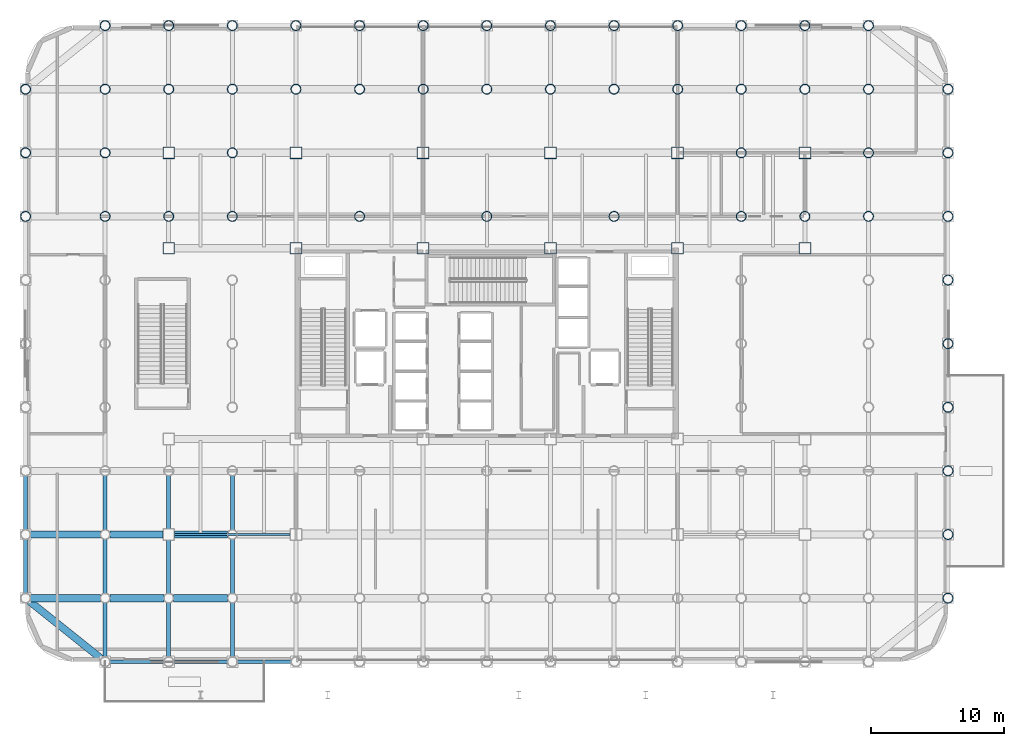
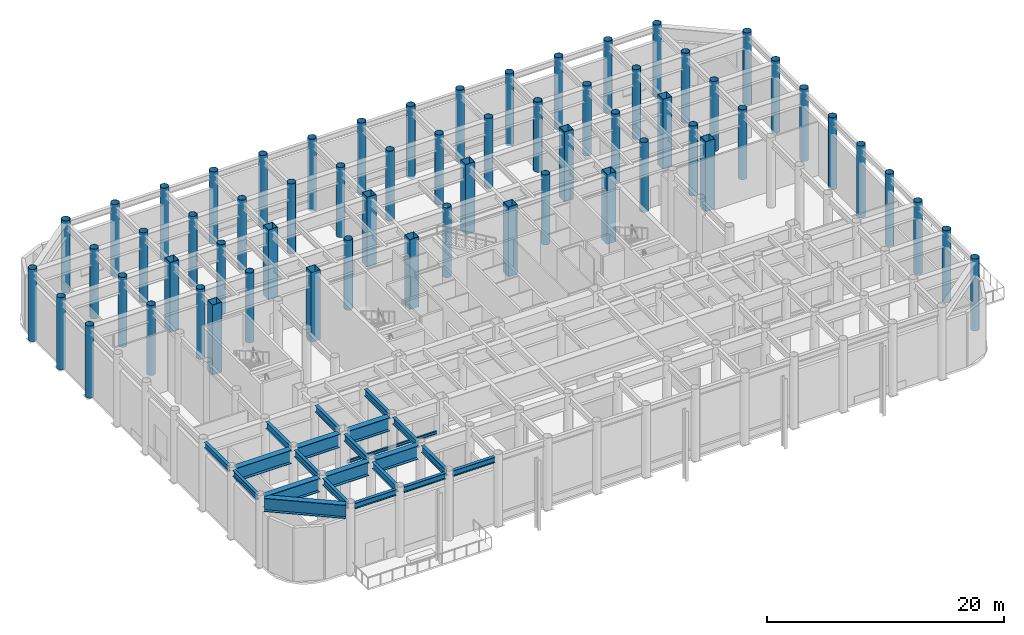
# One storey, part 3 of 23: 63 columns, 22 beams.
"""IFC4 building model written with IfcOpenShell, lengths in metres."""

from ifc_helpers import new_model, si_unit, direction, frame, origin, origin_2d, place, context, subcontext, project, spatial, hollow_rectangle, hollow_circle, i_section, extrude, material, material_profile, profile_set, type_object, element, save


model = new_model("IFC4")

# Units and contexts
model_context = context("Model", 3, precision=1e-05, world=origin(), true_north=direction((0.0, 1.0)))
body_context = subcontext(model_context, "Body", "Model", "MODEL_VIEW")
ifc_project = project(units=[si_unit("LENGTHUNIT", "METRE"), si_unit("AREAUNIT", "SQUARE_METRE"), si_unit("VOLUMEUNIT", "CUBIC_METRE"), si_unit("PLANEANGLEUNIT", "RADIAN"), si_unit("MASSUNIT", "GRAM", prefix="KILO")], contexts=[model_context])

# Site, building, storey
site_placement = place(None, origin())
site = spatial("IfcSite", under=ifc_project, at=site_placement, CompositionType="ELEMENT")
building_placement = place(site_placement, origin())
building = spatial("IfcBuilding", under=site, at=building_placement, Name="Kallvorn Hotel Tower", CompositionType="ELEMENT")
storey_placement = place(building_placement, frame((0.0, 0.0, 12.0)))
storey = spatial("IfcBuildingStorey", under=building, at=storey_placement, Name="L02", CompositionType="ELEMENT", Elevation=12.0)

# Columns
ifc_material_1 = material(Name="Structural steel S355J2H", Category="steel")
ifc_material_profile_1 = material_profile(ifc_material_1, hollow_circle(Radius=0.381103515625, WallThickness=0.031982421875, at=origin_2d()), Name="CHS 762x32")
ifc_profile_set_1 = profile_set([ifc_material_profile_1], Name="Structural steel S355J2H")
column_type_1 = type_object("IfcColumnType", Name="COL_CHS_762", PredefinedType="COLUMN", material=ifc_profile_set_1)
for number, where, z_axis, x_axis, name in (
    (1, (-34.800048828125, 9.60009765625, -0.219970703125), (0.0, 0.0, 1.0), (1.0, 0.0, 0.0), "L02 Exoskeleton Column EC07"),
    (2, (-34.800048828125, 14.39990234375, -0.219970703125), (0.0, 0.0, 1.0), (1.0, 0.0, 0.0), "L02 Exoskeleton Column EC08"),
    (3, (-34.800048828125, 19.199951171875, -0.219970703125), (0.0, 0.0, 1.0), (1.0, 0.0, 0.0), "L02 Exoskeleton Column EC09"),
):
    element("IfcColumn", number, at=place(storey_placement, frame(where, z_axis=z_axis, x_axis=x_axis)), inside=storey, type_object=column_type_1, Name=name, PredefinedType="COLUMN", context=body_context, shape_type="SweptSolid", body=[
        extrude(hollow_circle(Radius=0.381103515625, WallThickness=0.031982421875, at=origin_2d()), origin(), (0.0, 0.0, 1.0), 7.419921875),
    ])
for number, where, z_axis, x_axis, name in (
    (4, (-28.800048828125, 9.60009765625, 0.0), (0.0, 0.0, 1.0), (1.0, 0.0, 0.0), "L02 Exoskeleton Column EC17"),
    (5, (-28.800048828125, 14.39990234375, 0.0), (0.0, 0.0, 1.0), (1.0, 0.0, 0.0), "L02 Exoskeleton Column EC18"),
    (6, (-28.800048828125, 19.199951171875, 0.0), (0.0, 0.0, 1.0), (1.0, 0.0, 0.0), "L02 Exoskeleton Column EC19"),
):
    element("IfcColumn", number, at=place(storey_placement, frame(where, z_axis=z_axis, x_axis=x_axis)), inside=storey, type_object=column_type_1, Name=name, PredefinedType="COLUMN", context=body_context, shape_type="SweptSolid", body=[
        extrude(hollow_circle(Radius=0.381103515625, WallThickness=0.031982421875, at=origin_2d()), origin(), (0.0, 0.0, 1.0), 7.199951171875),
    ])
column_1_placement = place(storey_placement, frame((-28.800048828125, 24.0, -0.219970703125), z_axis=(0.0, 0.0, 1.0), x_axis=(1.0, 0.0, 0.0)))
element("IfcColumn", 7, at=column_1_placement, inside=storey, type_object=column_type_1, Name="L02 Exoskeleton Column EC20", PredefinedType="COLUMN", context=body_context, shape_type="SweptSolid", body=[
    extrude(hollow_circle(Radius=0.381103515625, WallThickness=0.031982421875, at=origin_2d()), origin(), (0.0, 0.0, 1.0), 7.419921875),
])
for number, where, z_axis, x_axis, name in (
    (8, (-24.0, 9.60009765625, 0.0), (0.0, 0.0, 1.0), (1.0, 0.0, 0.0), "L02 Exoskeleton Column EC24"),
    (9, (-24.0, 19.199951171875, 0.0), (0.0, 0.0, 1.0), (1.0, 0.0, 0.0), "L02 Exoskeleton Column EC25"),
):
    element("IfcColumn", number, at=place(storey_placement, frame(where, z_axis=z_axis, x_axis=x_axis)), inside=storey, type_object=column_type_1, Name=name, PredefinedType="COLUMN", context=body_context, shape_type="SweptSolid", body=[
        extrude(hollow_circle(Radius=0.381103515625, WallThickness=0.031982421875, at=origin_2d()), origin(), (0.0, 0.0, 1.0), 7.199951171875),
    ])
column_2_placement = place(storey_placement, frame((-24.0, 24.0, -0.219970703125), z_axis=(0.0, 0.0, 1.0), x_axis=(1.0, 0.0, 0.0)))
element("IfcColumn", 10, at=column_2_placement, inside=storey, type_object=column_type_1, Name="L02 Exoskeleton Column EC26", PredefinedType="COLUMN", context=body_context, shape_type="SweptSolid", body=[
    extrude(hollow_circle(Radius=0.381103515625, WallThickness=0.031982421875, at=origin_2d()), origin(), (0.0, 0.0, 1.0), 7.419921875),
])
for number, where, z_axis, x_axis, name in (
    (11, (-19.199951171875, 9.60009765625, 0.0), (0.0, 0.0, 1.0), (1.0, 0.0, 0.0), "L02 Exoskeleton Column EC34"),
    (12, (-19.199951171875, 14.39990234375, 0.0), (0.0, 0.0, 1.0), (1.0, 0.0, 0.0), "L02 Exoskeleton Column EC35"),
    (13, (-19.199951171875, 19.199951171875, 0.0), (0.0, 0.0, 1.0), (1.0, 0.0, 0.0), "L02 Exoskeleton Column EC36"),
):
    element("IfcColumn", number, at=place(storey_placement, frame(where, z_axis=z_axis, x_axis=x_axis)), inside=storey, type_object=column_type_1, Name=name, PredefinedType="COLUMN", context=body_context, shape_type="SweptSolid", body=[
        extrude(hollow_circle(Radius=0.381103515625, WallThickness=0.031982421875, at=origin_2d()), origin(), (0.0, 0.0, 1.0), 7.199951171875),
    ])
column_3_placement = place(storey_placement, frame((-19.199951171875, 24.0, -0.219970703125), z_axis=(0.0, 0.0, 1.0), x_axis=(1.0, 0.0, 0.0)))
element("IfcColumn", 14, at=column_3_placement, inside=storey, type_object=column_type_1, Name="L02 Exoskeleton Column EC37", PredefinedType="COLUMN", context=body_context, shape_type="SweptSolid", body=[
    extrude(hollow_circle(Radius=0.381103515625, WallThickness=0.031982421875, at=origin_2d()), origin(), (0.0, 0.0, 1.0), 7.419921875),
])
column_4_placement = place(storey_placement, frame((-14.39990234375, 19.199951171875, 0.0), z_axis=(0.0, 0.0, 1.0), x_axis=(1.0, 0.0, 0.0)))
element("IfcColumn", 15, at=column_4_placement, inside=storey, type_object=column_type_1, Name="L02 Exoskeleton Column EC40", PredefinedType="COLUMN", context=body_context, shape_type="SweptSolid", body=[
    extrude(hollow_circle(Radius=0.381103515625, WallThickness=0.031982421875, at=origin_2d()), origin(), (0.0, 0.0, 1.0), 7.199951171875),
])
column_5_placement = place(storey_placement, frame((-14.39990234375, 24.0, -0.219970703125), z_axis=(0.0, 0.0, 1.0), x_axis=(1.0, 0.0, 0.0)))
element("IfcColumn", 16, at=column_5_placement, inside=storey, type_object=column_type_1, Name="L02 Exoskeleton Column EC41", PredefinedType="COLUMN", context=body_context, shape_type="SweptSolid", body=[
    extrude(hollow_circle(Radius=0.381103515625, WallThickness=0.031982421875, at=origin_2d()), origin(), (0.0, 0.0, 1.0), 7.419921875),
])
for number, where, z_axis, x_axis, name in (
    (17, (-9.60009765625, 9.60009765625, 0.0), (0.0, 0.0, 1.0), (1.0, 0.0, 0.0), "L02 Exoskeleton Column EC45"),
    (18, (-9.60009765625, 19.199951171875, 0.0), (0.0, 0.0, 1.0), (1.0, 0.0, 0.0), "L02 Exoskeleton Column EC46"),
):
    element("IfcColumn", number, at=place(storey_placement, frame(where, z_axis=z_axis, x_axis=x_axis)), inside=storey, type_object=column_type_1, Name=name, PredefinedType="COLUMN", context=body_context, shape_type="SweptSolid", body=[
        extrude(hollow_circle(Radius=0.381103515625, WallThickness=0.031982421875, at=origin_2d()), origin(), (0.0, 0.0, 1.0), 7.199951171875),
    ])
column_6_placement = place(storey_placement, frame((-9.60009765625, 24.0, -0.219970703125), z_axis=(0.0, 0.0, 1.0), x_axis=(1.0, 0.0, 0.0)))
element("IfcColumn", 19, at=column_6_placement, inside=storey, type_object=column_type_1, Name="L02 Exoskeleton Column EC47", PredefinedType="COLUMN", context=body_context, shape_type="SweptSolid", body=[
    extrude(hollow_circle(Radius=0.381103515625, WallThickness=0.031982421875, at=origin_2d()), origin(), (0.0, 0.0, 1.0), 7.419921875),
])
column_7_placement = place(storey_placement, frame((-4.800048828125, 19.199951171875, 0.0), z_axis=(0.0, 0.0, 1.0), x_axis=(1.0, 0.0, 0.0)))
element("IfcColumn", 20, at=column_7_placement, inside=storey, type_object=column_type_1, Name="L02 Exoskeleton Column EC50", PredefinedType="COLUMN", context=body_context, shape_type="SweptSolid", body=[
    extrude(hollow_circle(Radius=0.381103515625, WallThickness=0.031982421875, at=origin_2d()), origin(), (0.0, 0.0, 1.0), 7.199951171875),
])
column_8_placement = place(storey_placement, frame((-4.800048828125, 24.0, -0.219970703125), z_axis=(0.0, 0.0, 1.0), x_axis=(1.0, 0.0, 0.0)))
element("IfcColumn", 21, at=column_8_placement, inside=storey, type_object=column_type_1, Name="L02 Exoskeleton Column EC51", PredefinedType="COLUMN", context=body_context, shape_type="SweptSolid", body=[
    extrude(hollow_circle(Radius=0.381103515625, WallThickness=0.031982421875, at=origin_2d()), origin(), (0.0, 0.0, 1.0), 7.419921875),
])
for number, where, z_axis, x_axis, name in (
    (22, (0.0, 9.60009765625, 0.0), (0.0, 0.0, 1.0), (1.0, 0.0, 0.0), "L02 Exoskeleton Column EC55"),
    (23, (0.0, 19.199951171875, 0.0), (0.0, 0.0, 1.0), (1.0, 0.0, 0.0), "L02 Exoskeleton Column EC56"),
):
    element("IfcColumn", number, at=place(storey_placement, frame(where, z_axis=z_axis, x_axis=x_axis)), inside=storey, type_object=column_type_1, Name=name, PredefinedType="COLUMN", context=body_context, shape_type="SweptSolid", body=[
        extrude(hollow_circle(Radius=0.381103515625, WallThickness=0.031982421875, at=origin_2d()), origin(), (0.0, 0.0, 1.0), 7.199951171875),
    ])
column_9_placement = place(storey_placement, frame((0.0, 24.0, -0.219970703125), z_axis=(0.0, 0.0, 1.0), x_axis=(1.0, 0.0, 0.0)))
element("IfcColumn", 24, at=column_9_placement, inside=storey, type_object=column_type_1, Name="L02 Exoskeleton Column EC57", PredefinedType="COLUMN", context=body_context, shape_type="SweptSolid", body=[
    extrude(hollow_circle(Radius=0.381103515625, WallThickness=0.031982421875, at=origin_2d()), origin(), (0.0, 0.0, 1.0), 7.419921875),
])
column_10_placement = place(storey_placement, frame((4.800048828125, 19.199951171875, 0.0), z_axis=(0.0, 0.0, 1.0), x_axis=(1.0, 0.0, 0.0)))
element("IfcColumn", 25, at=column_10_placement, inside=storey, type_object=column_type_1, Name="L02 Exoskeleton Column EC60", PredefinedType="COLUMN", context=body_context, shape_type="SweptSolid", body=[
    extrude(hollow_circle(Radius=0.381103515625, WallThickness=0.031982421875, at=origin_2d()), origin(), (0.0, 0.0, 1.0), 7.199951171875),
])
column_11_placement = place(storey_placement, frame((4.800048828125, 24.0, -0.219970703125), z_axis=(0.0, 0.0, 1.0), x_axis=(1.0, 0.0, 0.0)))
element("IfcColumn", 26, at=column_11_placement, inside=storey, type_object=column_type_1, Name="L02 Exoskeleton Column EC61", PredefinedType="COLUMN", context=body_context, shape_type="SweptSolid", body=[
    extrude(hollow_circle(Radius=0.381103515625, WallThickness=0.031982421875, at=origin_2d()), origin(), (0.0, 0.0, 1.0), 7.419921875),
])
for number, where, z_axis, x_axis, name in (
    (27, (9.60009765625, 9.60009765625, 0.0), (0.0, 0.0, 1.0), (1.0, 0.0, 0.0), "L02 Exoskeleton Column EC65"),
    (28, (9.60009765625, 19.199951171875, 0.0), (0.0, 0.0, 1.0), (1.0, 0.0, 0.0), "L02 Exoskeleton Column EC66"),
):
    element("IfcColumn", number, at=place(storey_placement, frame(where, z_axis=z_axis, x_axis=x_axis)), inside=storey, type_object=column_type_1, Name=name, PredefinedType="COLUMN", context=body_context, shape_type="SweptSolid", body=[
        extrude(hollow_circle(Radius=0.381103515625, WallThickness=0.031982421875, at=origin_2d()), origin(), (0.0, 0.0, 1.0), 7.199951171875),
    ])
column_12_placement = place(storey_placement, frame((9.60009765625, 24.0, -0.219970703125), z_axis=(0.0, 0.0, 1.0), x_axis=(1.0, 0.0, 0.0)))
element("IfcColumn", 29, at=column_12_placement, inside=storey, type_object=column_type_1, Name="L02 Exoskeleton Column EC67", PredefinedType="COLUMN", context=body_context, shape_type="SweptSolid", body=[
    extrude(hollow_circle(Radius=0.381103515625, WallThickness=0.031982421875, at=origin_2d()), origin(), (0.0, 0.0, 1.0), 7.419921875),
])
column_13_placement = place(storey_placement, frame((14.39990234375, 19.199951171875, 0.0), z_axis=(0.0, 0.0, 1.0), x_axis=(1.0, 0.0, 0.0)))
element("IfcColumn", 30, at=column_13_placement, inside=storey, type_object=column_type_1, Name="L02 Exoskeleton Column EC70", PredefinedType="COLUMN", context=body_context, shape_type="SweptSolid", body=[
    extrude(hollow_circle(Radius=0.381103515625, WallThickness=0.031982421875, at=origin_2d()), origin(), (0.0, 0.0, 1.0), 7.199951171875),
])
column_14_placement = place(storey_placement, frame((14.39990234375, 24.0, -0.219970703125), z_axis=(0.0, 0.0, 1.0), x_axis=(1.0, 0.0, 0.0)))
element("IfcColumn", 31, at=column_14_placement, inside=storey, type_object=column_type_1, Name="L02 Exoskeleton Column EC71", PredefinedType="COLUMN", context=body_context, shape_type="SweptSolid", body=[
    extrude(hollow_circle(Radius=0.381103515625, WallThickness=0.031982421875, at=origin_2d()), origin(), (0.0, 0.0, 1.0), 7.419921875),
])
for number, where, z_axis, x_axis, name in (
    (32, (19.199951171875, 9.60009765625, 0.0), (0.0, 0.0, 1.0), (1.0, 0.0, 0.0), "L02 Exoskeleton Column EC79"),
    (33, (19.199951171875, 14.39990234375, 0.0), (0.0, 0.0, 1.0), (1.0, 0.0, 0.0), "L02 Exoskeleton Column EC80"),
    (34, (19.199951171875, 19.199951171875, 0.0), (0.0, 0.0, 1.0), (1.0, 0.0, 0.0), "L02 Exoskeleton Column EC81"),
):
    element("IfcColumn", number, at=place(storey_placement, frame(where, z_axis=z_axis, x_axis=x_axis)), inside=storey, type_object=column_type_1, Name=name, PredefinedType="COLUMN", context=body_context, shape_type="SweptSolid", body=[
        extrude(hollow_circle(Radius=0.381103515625, WallThickness=0.031982421875, at=origin_2d()), origin(), (0.0, 0.0, 1.0), 7.199951171875),
    ])
column_15_placement = place(storey_placement, frame((19.199951171875, 24.0, -0.219970703125), z_axis=(0.0, 0.0, 1.0), x_axis=(1.0, 0.0, 0.0)))
element("IfcColumn", 35, at=column_15_placement, inside=storey, type_object=column_type_1, Name="L02 Exoskeleton Column EC82", PredefinedType="COLUMN", context=body_context, shape_type="SweptSolid", body=[
    extrude(hollow_circle(Radius=0.381103515625, WallThickness=0.031982421875, at=origin_2d()), origin(), (0.0, 0.0, 1.0), 7.419921875),
])
for number, where, z_axis, x_axis, name in (
    (36, (24.0, 9.60009765625, 0.0), (0.0, 0.0, 1.0), (1.0, 0.0, 0.0), "L02 Exoskeleton Column EC86"),
    (37, (24.0, 19.199951171875, 0.0), (0.0, 0.0, 1.0), (1.0, 0.0, 0.0), "L02 Exoskeleton Column EC87"),
):
    element("IfcColumn", number, at=place(storey_placement, frame(where, z_axis=z_axis, x_axis=x_axis)), inside=storey, type_object=column_type_1, Name=name, PredefinedType="COLUMN", context=body_context, shape_type="SweptSolid", body=[
        extrude(hollow_circle(Radius=0.381103515625, WallThickness=0.031982421875, at=origin_2d()), origin(), (0.0, 0.0, 1.0), 7.199951171875),
    ])
column_16_placement = place(storey_placement, frame((24.0, 24.0, -0.219970703125), z_axis=(0.0, 0.0, 1.0), x_axis=(1.0, 0.0, 0.0)))
element("IfcColumn", 38, at=column_16_placement, inside=storey, type_object=column_type_1, Name="L02 Exoskeleton Column EC88", PredefinedType="COLUMN", context=body_context, shape_type="SweptSolid", body=[
    extrude(hollow_circle(Radius=0.381103515625, WallThickness=0.031982421875, at=origin_2d()), origin(), (0.0, 0.0, 1.0), 7.419921875),
])
for number, where, z_axis, x_axis, name in (
    (39, (28.800048828125, 9.60009765625, 0.0), (0.0, 0.0, 1.0), (1.0, 0.0, 0.0), "L02 Exoskeleton Column EC96"),
    (40, (28.800048828125, 14.39990234375, 0.0), (0.0, 0.0, 1.0), (1.0, 0.0, 0.0), "L02 Exoskeleton Column EC97"),
    (41, (28.800048828125, 19.199951171875, 0.0), (0.0, 0.0, 1.0), (1.0, 0.0, 0.0), "L02 Exoskeleton Column EC98"),
):
    element("IfcColumn", number, at=place(storey_placement, frame(where, z_axis=z_axis, x_axis=x_axis)), inside=storey, type_object=column_type_1, Name=name, PredefinedType="COLUMN", context=body_context, shape_type="SweptSolid", body=[
        extrude(hollow_circle(Radius=0.381103515625, WallThickness=0.031982421875, at=origin_2d()), origin(), (0.0, 0.0, 1.0), 7.199951171875),
    ])
for number, where, z_axis, x_axis, name in (
    (42, (28.800048828125, 24.0, -0.219970703125), (0.0, 0.0, 1.0), (1.0, 0.0, 0.0), "L02 Exoskeleton Column EC99"),
    (43, (34.800048828125, -19.199951171875, -0.219970703125), (0.0, 0.0, 1.0), (1.0, 0.0, 0.0), "L02 Exoskeleton Column EC100"),
    (44, (34.800048828125, -14.39990234375, -0.219970703125), (0.0, 0.0, 1.0), (1.0, 0.0, 0.0), "L02 Exoskeleton Column EC101"),
    (45, (34.800048828125, -9.60009765625, -0.219970703125), (0.0, 0.0, 1.0), (1.0, 0.0, 0.0), "L02 Exoskeleton Column EC102"),
    (46, (34.800048828125, -4.800048828125, -0.219970703125), (0.0, 0.0, 1.0), (1.0, 0.0, 0.0), "L02 Exoskeleton Column EC103"),
    (47, (34.800048828125, 0.0, -0.219970703125), (0.0, 0.0, 1.0), (1.0, 0.0, 0.0), "L02 Exoskeleton Column EC104"),
    (48, (34.800048828125, 4.800048828125, -0.219970703125), (0.0, 0.0, 1.0), (1.0, 0.0, 0.0), "L02 Exoskeleton Column EC105"),
    (49, (34.800048828125, 9.60009765625, -0.219970703125), (0.0, 0.0, 1.0), (1.0, 0.0, 0.0), "L02 Exoskeleton Column EC106"),
    (50, (34.800048828125, 14.39990234375, -0.219970703125), (0.0, 0.0, 1.0), (1.0, 0.0, 0.0), "L02 Exoskeleton Column EC107"),
    (51, (34.800048828125, 19.199951171875, -0.219970703125), (0.0, 0.0, 1.0), (1.0, 0.0, 0.0), "L02 Exoskeleton Column EC108"),
):
    element("IfcColumn", number, at=place(storey_placement, frame(where, z_axis=z_axis, x_axis=x_axis)), inside=storey, type_object=column_type_1, Name=name, PredefinedType="COLUMN", context=body_context, shape_type="SweptSolid", body=[
        extrude(hollow_circle(Radius=0.381103515625, WallThickness=0.031982421875, at=origin_2d()), origin(), (0.0, 0.0, 1.0), 7.419921875),
    ])
ifc_material_2 = material(Name="Structural steel S355J2H", Category="steel")
ifc_material_profile_2 = material_profile(ifc_material_2, hollow_rectangle(XDim=0.89990234375, YDim=0.89990234375, WallThickness=0.0400390625, at=origin_2d()), Name="RHS 900x900x40")
ifc_profile_set_2 = profile_set([ifc_material_profile_2], Name="Structural steel S355J2H")
column_type_2 = type_object("IfcColumnType", Name="COL_RHS_900", PredefinedType="COLUMN", material=ifc_profile_set_2)
for number, where, z_axis, x_axis, name in (
    (52, (-24.0, 7.199951171875, 0.0), (0.0, 0.0, 1.0), (1.0, 0.0, 0.0), "L02 Inner Column IC03"),
    (53, (-24.0, 14.39990234375, 0.0), (0.0, 0.0, 1.0), (1.0, 0.0, 0.0), "L02 Inner Column IC04"),
    (54, (-14.39990234375, 7.199951171875, 0.0), (0.0, 0.0, 1.0), (1.0, 0.0, 0.0), "L02 Inner Column IC07"),
    (55, (-14.39990234375, 14.39990234375, 0.0), (0.0, 0.0, 1.0), (1.0, 0.0, 0.0), "L02 Inner Column IC08"),
    (56, (-4.800048828125, 7.199951171875, 0.0), (0.0, 0.0, 1.0), (1.0, 0.0, 0.0), "L02 Inner Column IC10"),
    (57, (-4.800048828125, 14.39990234375, 0.0), (0.0, 0.0, 1.0), (1.0, 0.0, 0.0), "L02 Inner Column IC11"),
    (58, (4.800048828125, 7.199951171875, 0.0), (0.0, 0.0, 1.0), (1.0, 0.0, 0.0), "L02 Inner Column IC13"),
    (59, (4.800048828125, 14.39990234375, 0.0), (0.0, 0.0, 1.0), (1.0, 0.0, 0.0), "L02 Inner Column IC14"),
    (60, (14.39990234375, 7.199951171875, 0.0), (0.0, 0.0, 1.0), (1.0, 0.0, 0.0), "L02 Inner Column IC17"),
    (61, (14.39990234375, 14.39990234375, 0.0), (0.0, 0.0, 1.0), (1.0, 0.0, 0.0), "L02 Inner Column IC18"),
    (62, (24.0, 7.199951171875, 0.0), (0.0, 0.0, 1.0), (1.0, 0.0, 0.0), "L02 Inner Column IC21"),
    (63, (24.0, 14.39990234375, 0.0), (0.0, 0.0, 1.0), (1.0, 0.0, 0.0), "L02 Inner Column IC22"),
):
    element("IfcColumn", number, at=place(storey_placement, frame(where, z_axis=z_axis, x_axis=x_axis)), inside=storey, type_object=column_type_2, Name=name, PredefinedType="COLUMN", context=body_context, shape_type="SweptSolid", body=[
        extrude(hollow_rectangle(XDim=0.89990234375, YDim=0.89990234375, WallThickness=0.0400390625, at=origin_2d()), origin(), (0.0, 0.0, 1.0), 7.199951171875),
    ])

# Beams
ifc_material_3 = material(Name="Structural steel S355JR", Category="steel")
ifc_material_profile_3 = material_profile(ifc_material_3, i_section(OverallWidth=0.300048828125, OverallDepth=0.60009765625, WebThickness=0.015380859375, FlangeThickness=0.030029296875, at=origin_2d()), Name="HE 600 B")
ifc_profile_set_3 = profile_set([ifc_material_profile_3], Name="Structural steel S355JR")
beam_type_1 = type_object("IfcBeamType", Name="BM_HE600B", PredefinedType="SPANDREL", material=ifc_profile_set_3)
for number, where, z_axis, x_axis, name in (
    (64, (-28.428955078125, -24.0, 6.6201171875), (1.0, 0.0, 0.0), (0.0, 1.0, 0.0), "L03 Perimeter Spandrel 168"),
    (65, (-23.62890625, -24.0, 6.6201171875), (1.0, 0.0, 0.0), (0.0, 1.0, 0.0), "L03 Perimeter Spandrel 169"),
):
    element("IfcBeam", number, at=place(storey_placement, frame(where, z_axis=z_axis, x_axis=x_axis)), inside=storey, type_object=beam_type_1, Name=name, PredefinedType="SPANDREL", context=body_context, shape_type="SweptSolid", body=[
        extrude(i_section(OverallWidth=0.300048828125, OverallDepth=0.60009765625, WebThickness=0.015380859375, FlangeThickness=0.030029296875, at=origin_2d()), origin(), (0.0, 0.0, 1.0), 4.057861328125),
    ])
for number, where, z_axis, x_axis, name in (
    (66, (-18.8291015625, -24.0, 6.6201171875), (1.0, 0.0, 0.0), (0.0, 1.0, 0.0), "L03 Perimeter Spandrel 170"),
    (67, (-34.800048828125, -18.8291015625, 6.6201171875), (0.0, 1.0, 0.0), (-1.0, 0.0, 0.0), "L03 Perimeter Spandrel 192"),
    (68, (-34.800048828125, -14.029052734375, 6.6201171875), (0.0, 1.0, 0.0), (-1.0, 0.0, 0.0), "L03 Perimeter Spandrel 193"),
):
    element("IfcBeam", number, at=place(storey_placement, frame(where, z_axis=z_axis, x_axis=x_axis)), inside=storey, type_object=beam_type_1, Name=name, PredefinedType="SPANDREL", context=body_context, shape_type="SweptSolid", body=[
        extrude(i_section(OverallWidth=0.300048828125, OverallDepth=0.60009765625, WebThickness=0.015380859375, FlangeThickness=0.030029296875, at=origin_2d()), origin(), (0.0, 0.0, 1.0), 4.05810546875),
    ])
ifc_material_4 = material(Name="Structural steel S355JR", Category="steel")
ifc_material_profile_4 = material_profile(ifc_material_4, i_section(OverallWidth=0.300048828125, OverallDepth=0.699951171875, WebThickness=0.01708984375, FlangeThickness=0.031982421875, at=origin_2d()), Name="HE 700 B")
ifc_profile_set_4 = profile_set([ifc_material_profile_4], Name="Structural steel S355JR")
beam_type_2 = type_object("IfcBeamType", Name="BM_HE700B", PredefinedType="BEAM", material=ifc_profile_set_4)
beam_1_placement = place(storey_placement, frame((-28.800048828125, -23.64404296875, 6.570068359375), z_axis=(0.0, 1.0, 0.0), x_axis=(-1.0, 0.0, 0.0)))
element("IfcBeam", 69, at=beam_1_placement, inside=storey, type_object=beam_type_2, Name="L03 Primary Y-Girder 78", PredefinedType="BEAM", context=body_context, shape_type="SweptSolid", body=[
    extrude(i_section(OverallWidth=0.300048828125, OverallDepth=0.699951171875, WebThickness=0.01708984375, FlangeThickness=0.031982421875, at=origin_2d()), origin(), (0.0, 0.0, 1.0), 4.088134765625),
])
for number, where, z_axis, x_axis, name in (
    (70, (-28.800048828125, -18.843994140625, 6.570068359375), (0.0, 1.0, 0.0), (-1.0, 0.0, 0.0), "L03 Primary Y-Girder 79"),
    (71, (-28.800048828125, -14.0439453125, 6.570068359375), (0.0, 1.0, 0.0), (-1.0, 0.0, 0.0), "L03 Primary Y-Girder 80"),
):
    element("IfcBeam", number, at=place(storey_placement, frame(where, z_axis=z_axis, x_axis=x_axis)), inside=storey, type_object=beam_type_2, Name=name, PredefinedType="BEAM", context=body_context, shape_type="SweptSolid", body=[
        extrude(i_section(OverallWidth=0.300048828125, OverallDepth=0.699951171875, WebThickness=0.01708984375, FlangeThickness=0.031982421875, at=origin_2d()), origin(), (0.0, 0.0, 1.0), 4.087890625),
    ])
beam_2_placement = place(storey_placement, frame((-24.0, -23.64404296875, 6.570068359375), z_axis=(0.0, 1.0, 0.0), x_axis=(-1.0, 0.0, 0.0)))
element("IfcBeam", 72, at=beam_2_placement, inside=storey, type_object=beam_type_2, Name="L03 Primary Y-Girder 88", PredefinedType="BEAM", context=body_context, shape_type="SweptSolid", body=[
    extrude(i_section(OverallWidth=0.300048828125, OverallDepth=0.699951171875, WebThickness=0.01708984375, FlangeThickness=0.031982421875, at=origin_2d()), origin(), (0.0, 0.0, 1.0), 4.088134765625),
])
for number, where, z_axis, x_axis, name in (
    (73, (-24.0, -18.843994140625, 6.570068359375), (0.0, 1.0, 0.0), (-1.0, 0.0, 0.0), "L03 Primary Y-Girder 89"),
    (74, (-24.0, -13.97509765625, 6.570068359375), (0.0, 1.0, 0.0), (-1.0, 0.0, 0.0), "L03 Primary Y-Girder 90"),
):
    element("IfcBeam", number, at=place(storey_placement, frame(where, z_axis=z_axis, x_axis=x_axis)), inside=storey, type_object=beam_type_2, Name=name, PredefinedType="BEAM", context=body_context, shape_type="SweptSolid", body=[
        extrude(i_section(OverallWidth=0.300048828125, OverallDepth=0.699951171875, WebThickness=0.01708984375, FlangeThickness=0.031982421875, at=origin_2d()), origin(), (0.0, 0.0, 1.0), 4.01904296875),
    ])
beam_3_placement = place(storey_placement, frame((-19.199951171875, -23.64404296875, 6.570068359375), z_axis=(0.0, 1.0, 0.0), x_axis=(-1.0, 0.0, 0.0)))
element("IfcBeam", 75, at=beam_3_placement, inside=storey, type_object=beam_type_2, Name="L03 Primary Y-Girder 96", PredefinedType="BEAM", context=body_context, shape_type="SweptSolid", body=[
    extrude(i_section(OverallWidth=0.300048828125, OverallDepth=0.699951171875, WebThickness=0.01708984375, FlangeThickness=0.031982421875, at=origin_2d()), origin(), (0.0, 0.0, 1.0), 4.088134765625),
])
for number, where, z_axis, x_axis, name in (
    (76, (-19.199951171875, -18.843994140625, 6.570068359375), (0.0, 1.0, 0.0), (-1.0, 0.0, 0.0), "L03 Primary Y-Girder 97"),
    (77, (-19.199951171875, -14.0439453125, 6.570068359375), (0.0, 1.0, 0.0), (-1.0, 0.0, 0.0), "L03 Primary Y-Girder 98"),
):
    element("IfcBeam", number, at=place(storey_placement, frame(where, z_axis=z_axis, x_axis=x_axis)), inside=storey, type_object=beam_type_2, Name=name, PredefinedType="BEAM", context=body_context, shape_type="SweptSolid", body=[
        extrude(i_section(OverallWidth=0.300048828125, OverallDepth=0.699951171875, WebThickness=0.01708984375, FlangeThickness=0.031982421875, at=origin_2d()), origin(), (0.0, 0.0, 1.0), 4.087890625),
    ])
ifc_material_5 = material(Name="Structural steel S355JR", Category="steel")
ifc_material_profile_5 = material_profile(ifc_material_5, i_section(OverallWidth=0.14990234375, OverallDepth=0.300048828125, WebThickness=0.007080078125, FlangeThickness=0.0107421875, at=origin_2d()), Name="IPE 300")
ifc_profile_set_5 = profile_set([ifc_material_profile_5], Name="Structural steel S355JR")
beam_type_3 = type_object("IfcBeamType", Name="BM_IPE300", PredefinedType="LINTEL", material=ifc_profile_set_5)
beam_4_placement = place(storey_placement, frame((-23.56005859375, -14.39990234375, 3.60009765625), z_axis=(1.0, 0.0, 0.0), x_axis=(0.0, 1.0, 0.0)))
element("IfcBeam", 78, at=beam_4_placement, inside=storey, type_object=beam_type_3, Name="L02 Concourse Portal Lintel Beam 1", PredefinedType="LINTEL", context=body_context, shape_type="SweptSolid", body=[
    extrude(i_section(OverallWidth=0.14990234375, OverallDepth=0.300048828125, WebThickness=0.007080078125, FlangeThickness=0.0107421875, at=origin_2d()), origin(), (0.0, 0.0, 1.0), 8.719970703125),
])
ifc_material_6 = material(Name="Structural steel S355JR", Category="steel")
ifc_material_profile_6 = material_profile(ifc_material_6, i_section(OverallWidth=0.550048828125, OverallDepth=1.39990234375, WebThickness=0.02490234375, FlangeThickness=0.044921875, at=origin_2d()), Name="PG 1400x550x25x45")
ifc_profile_set_6 = profile_set([ifc_material_profile_6], Name="Structural steel S355JR")
beam_type_4 = type_object("IfcBeamType", Name="BM_PG_1400", PredefinedType="BEAM", material=ifc_profile_set_6)
beam_5_placement = place(storey_placement, frame((-34.444091796875, -19.199951171875, 6.219970703125), z_axis=(1.0, 0.0, 0.0), x_axis=(0.0, 1.0, 0.0)))
element("IfcBeam", 79, at=beam_5_placement, inside=storey, type_object=beam_type_4, Name="L03 Primary X-Girder 02", PredefinedType="BEAM", context=body_context, shape_type="SweptSolid", body=[
    extrude(i_section(OverallWidth=0.550048828125, OverallDepth=1.39990234375, WebThickness=0.02490234375, FlangeThickness=0.044921875, at=origin_2d()), origin(), (0.0, 0.0, 1.0), 5.2880859375),
])
for number, where, z_axis, x_axis, name in (
    (80, (-28.444091796875, -19.199951171875, 6.219970703125), (1.0, 0.0, 0.0), (0.0, 1.0, 0.0), "L03 Primary X-Girder 03"),
    (81, (-23.64404296875, -19.199951171875, 6.219970703125), (1.0, 0.0, 0.0), (0.0, 1.0, 0.0), "L03 Primary X-Girder 04"),
):
    element("IfcBeam", number, at=place(storey_placement, frame(where, z_axis=z_axis, x_axis=x_axis)), inside=storey, type_object=beam_type_4, Name=name, PredefinedType="BEAM", context=body_context, shape_type="SweptSolid", body=[
        extrude(i_section(OverallWidth=0.550048828125, OverallDepth=1.39990234375, WebThickness=0.02490234375, FlangeThickness=0.044921875, at=origin_2d()), origin(), (0.0, 0.0, 1.0), 4.088134765625),
    ])
beam_6_placement = place(storey_placement, frame((-34.444091796875, -14.39990234375, 6.219970703125), z_axis=(1.0, 0.0, 0.0), x_axis=(0.0, 1.0, 0.0)))
element("IfcBeam", 82, at=beam_6_placement, inside=storey, type_object=beam_type_4, Name="L03 Primary X-Girder 16", PredefinedType="BEAM", context=body_context, shape_type="SweptSolid", body=[
    extrude(i_section(OverallWidth=0.550048828125, OverallDepth=1.39990234375, WebThickness=0.02490234375, FlangeThickness=0.044921875, at=origin_2d()), origin(), (0.0, 0.0, 1.0), 5.2880859375),
])
for number, where, z_axis, x_axis, name in (
    (83, (-28.444091796875, -14.39990234375, 6.219970703125), (1.0, 0.0, 0.0), (0.0, 1.0, 0.0), "L03 Primary X-Girder 17"),
    (84, (-23.574951171875, -14.39990234375, 6.219970703125), (1.0, 0.0, 0.0), (0.0, 1.0, 0.0), "L03 Primary X-Girder 18"),
):
    element("IfcBeam", number, at=place(storey_placement, frame(where, z_axis=z_axis, x_axis=x_axis)), inside=storey, type_object=beam_type_4, Name=name, PredefinedType="BEAM", context=body_context, shape_type="SweptSolid", body=[
        extrude(i_section(OverallWidth=0.550048828125, OverallDepth=1.39990234375, WebThickness=0.02490234375, FlangeThickness=0.044921875, at=origin_2d()), origin(), (0.0, 0.0, 1.0), 4.01904296875),
    ])
beam_7_placement = place(storey_placement, frame((-34.51025390625, -19.431884765625, 6.219970703125), z_axis=(0.780875671801, -0.62468646951, 0.0), x_axis=(0.62468646951, 0.780875671801, 0.0)))
element("IfcBeam", 85, at=beam_7_placement, inside=storey, type_object=beam_type_4, Name="L03 Rounded Corner Tie Beam 208", PredefinedType="BEAM", context=body_context, shape_type="SweptSolid", body=[
    extrude(i_section(OverallWidth=0.550048828125, OverallDepth=1.39990234375, WebThickness=0.02490234375, FlangeThickness=0.044921875, at=origin_2d()), origin(), (0.0, 0.0, 1.0), 6.941650390625),
])

save(model, "model.ifc")
